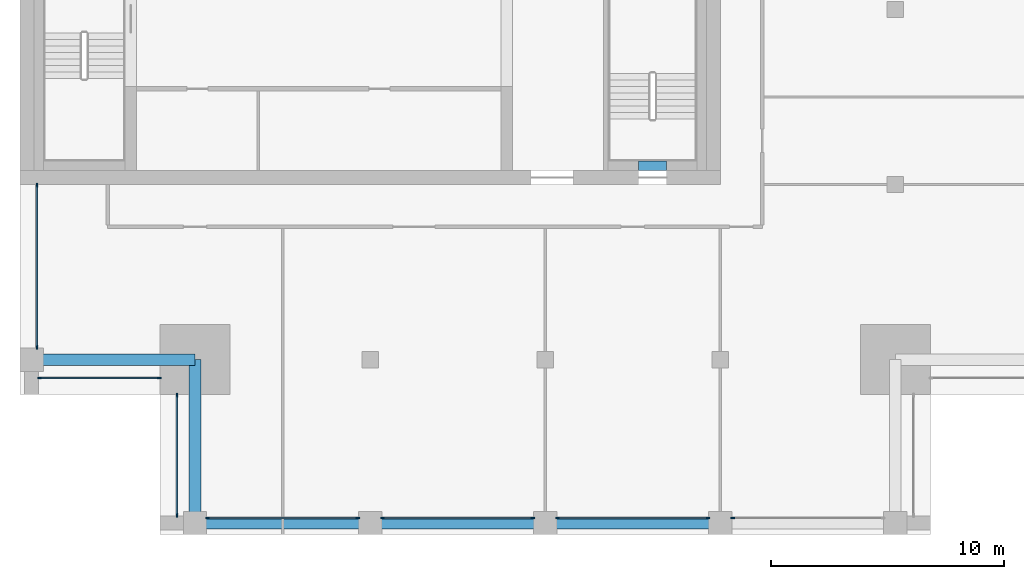
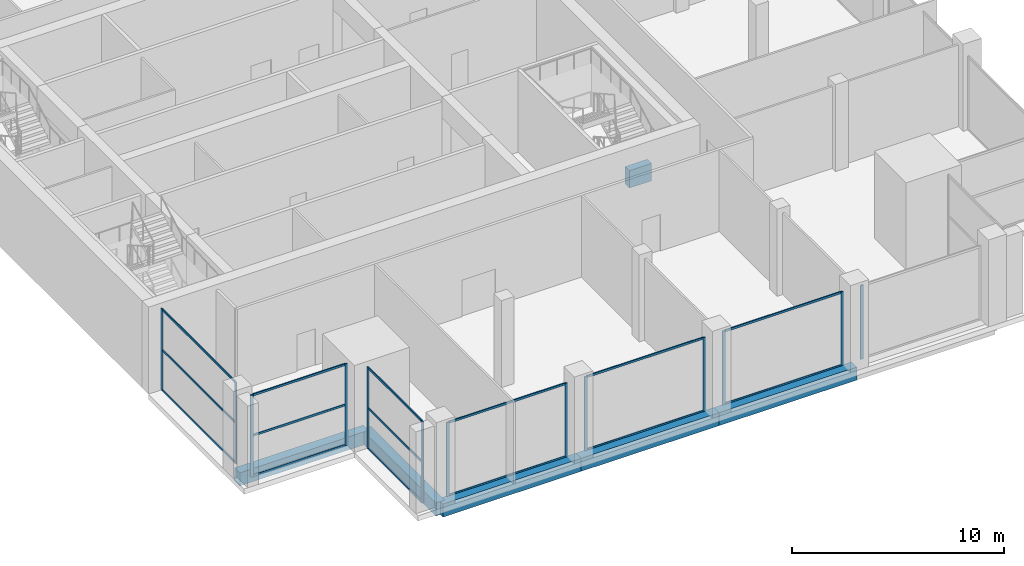
# One storey, part 2 of 15: 28 members, 6 beams, 7 elements without a shape of their own.
"""IFC4 building model written with IfcOpenShell, lengths in metres."""

from ifc_helpers import new_model, si_unit, direction, frame, origin, origin_2d, place, context, subcontext, project, spatial, rectangle, extrude, material, layer, layer_set, material_profile, profile_set, type_object, element, aggregate, save


model = new_model("IFC4")

# Units and contexts
model_context = context("Model", 3, precision=1e-05, world=origin(), true_north=direction((0.0, 1.0)))
body_context = subcontext(model_context, "Body", "Model", "MODEL_VIEW")
ifc_project = project(units=[si_unit("LENGTHUNIT", "METRE"), si_unit("AREAUNIT", "SQUARE_METRE"), si_unit("VOLUMEUNIT", "CUBIC_METRE"), si_unit("PLANEANGLEUNIT", "RADIAN"), si_unit("MASSUNIT", "GRAM", prefix="KILO")], contexts=[model_context])

# Site, building, storey
site_placement = place(None, origin())
site = spatial("IfcSite", under=ifc_project, at=site_placement, CompositionType="ELEMENT")
building_placement = place(site_placement, origin())
building = spatial("IfcBuilding", under=site, at=building_placement, Name="Tamorin Gate", CompositionType="ELEMENT")
storey_placement = place(building_placement, frame((0.0, 0.0, 297.699951171875)))
storey = spatial("IfcBuildingStorey", under=building, at=storey_placement, Name="L74", CompositionType="ELEMENT", Elevation=297.699951171875)

# Curtain wall, members
ifc_material_1 = material(Name="Aluminium mullions and transoms with clear glass", Category="aluminium")
ifc_layer = layer(ifc_material_1, 0.159912109375)
ifc_layer_set = layer_set([ifc_layer], Name="Curtain wall system CW2")
curtain_wall_type = type_object("IfcCurtainWallType", Name="Curtain wall system CW2", PredefinedType="NOTDEFINED", material=ifc_layer_set)
curtain_wall_1_placement = place(storey_placement, origin())
curtain_wall_1 = element("IfcCurtainWall", 1, at=curtain_wall_1_placement, inside=storey, type_object=curtain_wall_type, Name="Curtain wall", PredefinedType="NOTDEFINED")
ifc_material_2 = material(Name="Aluminium", Category="aluminium")
ifc_material_profile_1 = material_profile(ifc_material_2, rectangle(XDim=0.06005859375, YDim=0.159912109375, at=origin_2d()), Name="RECT 60x160")
ifc_profile_set_1 = profile_set([ifc_material_profile_1], Name="Aluminium")
member_type_1 = type_object("IfcMemberType", Name="Aluminium mullion 60x160", PredefinedType="MULLION", material=ifc_profile_set_1)
member_1_placement = place(storey_placement, frame((38.030029296875, 45.719970703125, 0.0), z_axis=(0.0, 0.0, 1.0), x_axis=(0.0, 1.0, 0.0)))
member_1 = element("IfcMember", 2, at=member_1_placement, type_object=member_type_1, Name="CW2 mullion 1", PredefinedType="MULLION", context=body_context, shape_type="SweptSolid", body=[
    extrude(rectangle(XDim=0.06005859375, YDim=0.159912109375, at=origin_2d()), origin(), (0.0, 0.0, 1.0), 4.25),
])
member_2_placement = place(storey_placement, frame((44.469970703125, 45.719970703125, 0.0), z_axis=(0.0, 0.0, 1.0), x_axis=(0.0, 1.0, 0.0)))
member_2 = element("IfcMember", 3, at=member_2_placement, type_object=member_type_1, Name="CW2 mullion 2", PredefinedType="MULLION", context=body_context, shape_type="SweptSolid", body=[
    extrude(rectangle(XDim=0.06005859375, YDim=0.159912109375, at=origin_2d()), origin(), (0.0, 0.0, 1.0), 4.25),
])

curtain_wall_2_placement = place(storey_placement, origin())
curtain_wall_2 = element("IfcCurtainWall", 4, at=curtain_wall_2_placement, inside=storey, type_object=curtain_wall_type, Name="Curtain wall", PredefinedType="NOTDEFINED")
member_3_placement = place(storey_placement, frame((45.530029296875, 45.719970703125, 0.0), z_axis=(0.0, 0.0, 1.0), x_axis=(0.0, 1.0, 0.0)))
member_3 = element("IfcMember", 5, at=member_3_placement, type_object=member_type_1, Name="CW2 mullion 1", PredefinedType="MULLION", context=body_context, shape_type="SweptSolid", body=[
    extrude(rectangle(XDim=0.06005859375, YDim=0.159912109375, at=origin_2d()), origin(), (0.0, 0.0, 1.0), 4.25),
])
member_4_placement = place(storey_placement, frame((51.969970703125, 45.719970703125, 0.0), z_axis=(0.0, 0.0, 1.0), x_axis=(0.0, 1.0, 0.0)))
member_4 = element("IfcMember", 6, at=member_4_placement, type_object=member_type_1, Name="CW2 mullion 2", PredefinedType="MULLION", context=body_context, shape_type="SweptSolid", body=[
    extrude(rectangle(XDim=0.06005859375, YDim=0.159912109375, at=origin_2d()), origin(), (0.0, 0.0, 1.0), 4.25),
])

curtain_wall_3_placement = place(storey_placement, origin())
curtain_wall_3 = element("IfcCurtainWall", 7, at=curtain_wall_3_placement, inside=storey, type_object=curtain_wall_type, Name="Curtain wall", PredefinedType="NOTDEFINED")
member_5_placement = place(storey_placement, frame((53.030029296875, 45.719970703125, 0.0), z_axis=(0.0, 0.0, 1.0), x_axis=(0.0, 1.0, 0.0)))
member_5 = element("IfcMember", 8, at=member_5_placement, type_object=member_type_1, Name="CW2 mullion 1", PredefinedType="MULLION", context=body_context, shape_type="SweptSolid", body=[
    extrude(rectangle(XDim=0.06005859375, YDim=0.159912109375, at=origin_2d()), origin(), (0.0, 0.0, 1.0), 4.25),
])
member_6_placement = place(storey_placement, frame((59.469970703125, 45.719970703125, 0.0), z_axis=(0.0, 0.0, 1.0), x_axis=(0.0, 1.0, 0.0)))
member_6 = element("IfcMember", 9, at=member_6_placement, type_object=member_type_1, Name="CW2 mullion 2", PredefinedType="MULLION", context=body_context, shape_type="SweptSolid", body=[
    extrude(rectangle(XDim=0.06005859375, YDim=0.159912109375, at=origin_2d()), origin(), (0.0, 0.0, 1.0), 4.25),
])

# Curtain wall, member
curtain_wall_4_placement = place(storey_placement, origin())
curtain_wall_4 = element("IfcCurtainWall", 10, at=curtain_wall_4_placement, inside=storey, type_object=curtain_wall_type, Name="Curtain wall", PredefinedType="NOTDEFINED")
member_7_placement = place(storey_placement, frame((60.530029296875, 45.719970703125, 0.0), z_axis=(0.0, 0.0, 1.0), x_axis=(0.0, 1.0, 0.0)))
member_7 = element("IfcMember", 11, at=member_7_placement, type_object=member_type_1, Name="CW2 mullion 1", PredefinedType="MULLION", context=body_context, shape_type="SweptSolid", body=[
    extrude(rectangle(XDim=0.06005859375, YDim=0.159912109375, at=origin_2d()), origin(), (0.0, 0.0, 1.0), 4.25),
])
aggregate(curtain_wall_4, [member_7])

# Curtain wall, members
curtain_wall_5_placement = place(storey_placement, origin())
curtain_wall_5 = element("IfcCurtainWall", 12, at=curtain_wall_5_placement, inside=storey, type_object=curtain_wall_type, Name="Curtain wall", PredefinedType="NOTDEFINED")
member_8_placement = place(storey_placement, frame((30.719970703125, 59.969970703125, 0.0), z_axis=(0.0, 0.0, 1.0), x_axis=(1.0, 0.0, 0.0)))
member_8 = element("IfcMember", 13, at=member_8_placement, type_object=member_type_1, Name="CW2 mullion 1", PredefinedType="MULLION", context=body_context, shape_type="SweptSolid", body=[
    extrude(rectangle(XDim=0.06005859375, YDim=0.159912109375, at=origin_2d()), origin(), (0.0, 0.0, 1.0), 4.699951171875),
])
member_9_placement = place(storey_placement, frame((30.719970703125, 53.030029296875, 0.0), z_axis=(0.0, 0.0, 1.0), x_axis=(1.0, 0.0, 0.0)))
member_9 = element("IfcMember", 14, at=member_9_placement, type_object=member_type_1, Name="CW2 mullion 2", PredefinedType="MULLION", context=body_context, shape_type="SweptSolid", body=[
    extrude(rectangle(XDim=0.06005859375, YDim=0.159912109375, at=origin_2d()), origin(), (0.0, 0.0, 1.0), 4.699951171875),
])

curtain_wall_6_placement = place(storey_placement, origin())
curtain_wall_6 = element("IfcCurtainWall", 15, at=curtain_wall_6_placement, inside=storey, type_object=curtain_wall_type, Name="Curtain wall", PredefinedType="NOTDEFINED")
member_10_placement = place(storey_placement, frame((30.830078125, 51.719970703125, 0.0), z_axis=(0.0, 0.0, 1.0), x_axis=(0.0, 1.0, 0.0)))
member_10 = element("IfcMember", 16, at=member_10_placement, type_object=member_type_1, Name="CW2 mullion 1", PredefinedType="MULLION", context=body_context, shape_type="SweptSolid", body=[
    extrude(rectangle(XDim=0.06005859375, YDim=0.159912109375, at=origin_2d()), origin(), (0.0, 0.0, 1.0), 4.699951171875),
])
member_11_placement = place(storey_placement, frame((35.969970703125, 51.719970703125, 0.0), z_axis=(0.0, 0.0, 1.0), x_axis=(0.0, 1.0, 0.0)))
member_11 = element("IfcMember", 17, at=member_11_placement, type_object=member_type_1, Name="CW2 mullion 2", PredefinedType="MULLION", context=body_context, shape_type="SweptSolid", body=[
    extrude(rectangle(XDim=0.06005859375, YDim=0.159912109375, at=origin_2d()), origin(), (0.0, 0.0, 1.0), 4.699951171875),
])

curtain_wall_7_placement = place(storey_placement, origin())
curtain_wall_7 = element("IfcCurtainWall", 18, at=curtain_wall_7_placement, inside=storey, type_object=curtain_wall_type, Name="Curtain wall", PredefinedType="NOTDEFINED")
member_12_placement = place(storey_placement, frame((36.719970703125, 50.969970703125, 0.0), z_axis=(0.0, 0.0, 1.0), x_axis=(1.0, 0.0, 0.0)))
member_12 = element("IfcMember", 19, at=member_12_placement, type_object=member_type_1, Name="CW2 mullion 1", PredefinedType="MULLION", context=body_context, shape_type="SweptSolid", body=[
    extrude(rectangle(XDim=0.06005859375, YDim=0.159912109375, at=origin_2d()), origin(), (0.0, 0.0, 1.0), 4.699951171875),
])
member_13_placement = place(storey_placement, frame((36.719970703125, 45.830078125, 0.0), z_axis=(0.0, 0.0, 1.0), x_axis=(1.0, 0.0, 0.0)))
member_13 = element("IfcMember", 20, at=member_13_placement, type_object=member_type_1, Name="CW2 mullion 2", PredefinedType="MULLION", context=body_context, shape_type="SweptSolid", body=[
    extrude(rectangle(XDim=0.06005859375, YDim=0.159912109375, at=origin_2d()), origin(), (0.0, 0.0, 1.0), 4.699951171875),
])

# Member
ifc_material_profile_2 = material_profile(ifc_material_2, rectangle(XDim=0.06005859375, YDim=0.1201171875, at=origin_2d()), Name="RECT 60x120")
ifc_profile_set_2 = profile_set([ifc_material_profile_2], Name="Aluminium")
member_type_2 = type_object("IfcMemberType", Name="Aluminium transom 60x120", PredefinedType="USERDEFINED", material=ifc_profile_set_2)
member_14_placement = place(storey_placement, frame((38.06005859375, 45.719970703125, 0.030029296875), z_axis=(1.0, 0.0, 0.0), x_axis=(0.0, 1.0, 0.0)))
member_14 = element("IfcMember", 21, at=member_14_placement, type_object=member_type_2, Name="CW2 transom 1.1", ObjectType="TRANSOM", PredefinedType="USERDEFINED", context=body_context, shape_type="SweptSolid", body=[
    extrude(rectangle(XDim=0.06005859375, YDim=0.1201171875, at=origin_2d()), origin(), (0.0, 0.0, 1.0), 6.3798828125),
])

member_15_placement = place(storey_placement, frame((38.06005859375, 45.719970703125, 4.219970703125), z_axis=(1.0, 0.0, 0.0), x_axis=(0.0, 1.0, 0.0)))
member_15 = element("IfcMember", 22, at=member_15_placement, type_object=member_type_2, Name="CW2 transom 1.2", ObjectType="TRANSOM", PredefinedType="USERDEFINED", context=body_context, shape_type="SweptSolid", body=[
    extrude(rectangle(XDim=0.06005859375, YDim=0.1201171875, at=origin_2d()), origin(), (0.0, 0.0, 1.0), 6.3798828125),
])

aggregate(curtain_wall_1, [member_1, member_2, member_14, member_15])

member_16_placement = place(storey_placement, frame((45.56005859375, 45.719970703125, 0.030029296875), z_axis=(1.0, 0.0, 0.0), x_axis=(0.0, 1.0, 0.0)))
member_16 = element("IfcMember", 23, at=member_16_placement, type_object=member_type_2, Name="CW2 transom 1.1", ObjectType="TRANSOM", PredefinedType="USERDEFINED", context=body_context, shape_type="SweptSolid", body=[
    extrude(rectangle(XDim=0.06005859375, YDim=0.1201171875, at=origin_2d()), origin(), (0.0, 0.0, 1.0), 6.3798828125),
])

member_17_placement = place(storey_placement, frame((45.56005859375, 45.719970703125, 4.219970703125), z_axis=(1.0, 0.0, 0.0), x_axis=(0.0, 1.0, 0.0)))
member_17 = element("IfcMember", 24, at=member_17_placement, type_object=member_type_2, Name="CW2 transom 1.2", ObjectType="TRANSOM", PredefinedType="USERDEFINED", context=body_context, shape_type="SweptSolid", body=[
    extrude(rectangle(XDim=0.06005859375, YDim=0.1201171875, at=origin_2d()), origin(), (0.0, 0.0, 1.0), 6.3798828125),
])

aggregate(curtain_wall_2, [member_3, member_4, member_16, member_17])

member_18_placement = place(storey_placement, frame((53.06005859375, 45.719970703125, 0.030029296875), z_axis=(1.0, 0.0, 0.0), x_axis=(0.0, 1.0, 0.0)))
member_18 = element("IfcMember", 25, at=member_18_placement, type_object=member_type_2, Name="CW2 transom 1.1", ObjectType="TRANSOM", PredefinedType="USERDEFINED", context=body_context, shape_type="SweptSolid", body=[
    extrude(rectangle(XDim=0.06005859375, YDim=0.1201171875, at=origin_2d()), origin(), (0.0, 0.0, 1.0), 6.3798828125),
])

member_19_placement = place(storey_placement, frame((53.06005859375, 45.719970703125, 4.219970703125), z_axis=(1.0, 0.0, 0.0), x_axis=(0.0, 1.0, 0.0)))
member_19 = element("IfcMember", 26, at=member_19_placement, type_object=member_type_2, Name="CW2 transom 1.2", ObjectType="TRANSOM", PredefinedType="USERDEFINED", context=body_context, shape_type="SweptSolid", body=[
    extrude(rectangle(XDim=0.06005859375, YDim=0.1201171875, at=origin_2d()), origin(), (0.0, 0.0, 1.0), 6.3798828125),
])

aggregate(curtain_wall_3, [member_5, member_6, member_18, member_19])

member_20_placement = place(storey_placement, frame((30.719970703125, 59.93994140625, 0.030029296875), z_axis=(0.0, -1.0, 0.0), x_axis=(1.0, 0.0, 0.0)))
member_20 = element("IfcMember", 27, at=member_20_placement, type_object=member_type_2, Name="CW2 transom 1.1", ObjectType="TRANSOM", PredefinedType="USERDEFINED", context=body_context, shape_type="SweptSolid", body=[
    extrude(rectangle(XDim=0.06005859375, YDim=0.1201171875, at=origin_2d()), origin(), (0.0, 0.0, 1.0), 6.8798828125),
])

member_21_placement = place(storey_placement, frame((30.719970703125, 59.93994140625, 2.35009765625), z_axis=(0.0, -1.0, 0.0), x_axis=(1.0, 0.0, 0.0)))
member_21 = element("IfcMember", 28, at=member_21_placement, type_object=member_type_2, Name="CW2 transom 1.2", ObjectType="TRANSOM", PredefinedType="USERDEFINED", context=body_context, shape_type="SweptSolid", body=[
    extrude(rectangle(XDim=0.06005859375, YDim=0.1201171875, at=origin_2d()), origin(), (0.0, 0.0, 1.0), 6.8798828125),
])

member_22_placement = place(storey_placement, frame((30.719970703125, 59.93994140625, 4.670166015625), z_axis=(0.0, -1.0, 0.0), x_axis=(1.0, 0.0, 0.0)))
member_22 = element("IfcMember", 29, at=member_22_placement, type_object=member_type_2, Name="CW2 transom 1.3", ObjectType="TRANSOM", PredefinedType="USERDEFINED", context=body_context, shape_type="SweptSolid", body=[
    extrude(rectangle(XDim=0.06005859375, YDim=0.1201171875, at=origin_2d()), origin(), (0.0, 0.0, 1.0), 6.8798828125),
])

aggregate(curtain_wall_5, [member_8, member_9, member_20, member_21, member_22])

member_23_placement = place(storey_placement, frame((30.860107421875, 51.719970703125, 0.030029296875), z_axis=(1.0, 0.0, 0.0), x_axis=(0.0, 1.0, 0.0)))
member_23 = element("IfcMember", 30, at=member_23_placement, type_object=member_type_2, Name="CW2 transom 1.1", ObjectType="TRANSOM", PredefinedType="USERDEFINED", context=body_context, shape_type="SweptSolid", body=[
    extrude(rectangle(XDim=0.06005859375, YDim=0.1201171875, at=origin_2d()), origin(), (0.0, 0.0, 1.0), 5.079833984375),
])

member_24_placement = place(storey_placement, frame((30.860107421875, 51.719970703125, 2.35009765625), z_axis=(1.0, 0.0, 0.0), x_axis=(0.0, 1.0, 0.0)))
member_24 = element("IfcMember", 31, at=member_24_placement, type_object=member_type_2, Name="CW2 transom 1.2", ObjectType="TRANSOM", PredefinedType="USERDEFINED", context=body_context, shape_type="SweptSolid", body=[
    extrude(rectangle(XDim=0.06005859375, YDim=0.1201171875, at=origin_2d()), origin(), (0.0, 0.0, 1.0), 5.079833984375),
])

member_25_placement = place(storey_placement, frame((30.860107421875, 51.719970703125, 4.670166015625), z_axis=(1.0, 0.0, 0.0), x_axis=(0.0, 1.0, 0.0)))
member_25 = element("IfcMember", 32, at=member_25_placement, type_object=member_type_2, Name="CW2 transom 1.3", ObjectType="TRANSOM", PredefinedType="USERDEFINED", context=body_context, shape_type="SweptSolid", body=[
    extrude(rectangle(XDim=0.06005859375, YDim=0.1201171875, at=origin_2d()), origin(), (0.0, 0.0, 1.0), 5.079833984375),
])

aggregate(curtain_wall_6, [member_10, member_11, member_23, member_24, member_25])

member_26_placement = place(storey_placement, frame((36.719970703125, 50.93994140625, 0.030029296875), z_axis=(0.0, -1.0, 0.0), x_axis=(1.0, 0.0, 0.0)))
member_26 = element("IfcMember", 33, at=member_26_placement, type_object=member_type_2, Name="CW2 transom 1.1", ObjectType="TRANSOM", PredefinedType="USERDEFINED", context=body_context, shape_type="SweptSolid", body=[
    extrude(rectangle(XDim=0.06005859375, YDim=0.1201171875, at=origin_2d()), origin(), (0.0, 0.0, 1.0), 5.079833984375),
])

member_27_placement = place(storey_placement, frame((36.719970703125, 50.93994140625, 2.35009765625), z_axis=(0.0, -1.0, 0.0), x_axis=(1.0, 0.0, 0.0)))
member_27 = element("IfcMember", 34, at=member_27_placement, type_object=member_type_2, Name="CW2 transom 1.2", ObjectType="TRANSOM", PredefinedType="USERDEFINED", context=body_context, shape_type="SweptSolid", body=[
    extrude(rectangle(XDim=0.06005859375, YDim=0.1201171875, at=origin_2d()), origin(), (0.0, 0.0, 1.0), 5.079833984375),
])

member_28_placement = place(storey_placement, frame((36.719970703125, 50.93994140625, 4.670166015625), z_axis=(0.0, -1.0, 0.0), x_axis=(1.0, 0.0, 0.0)))
member_28 = element("IfcMember", 35, at=member_28_placement, type_object=member_type_2, Name="CW2 transom 1.3", ObjectType="TRANSOM", PredefinedType="USERDEFINED", context=body_context, shape_type="SweptSolid", body=[
    extrude(rectangle(XDim=0.06005859375, YDim=0.1201171875, at=origin_2d()), origin(), (0.0, 0.0, 1.0), 5.079833984375),
])

aggregate(curtain_wall_7, [member_12, member_13, member_26, member_27, member_28])

# Beams
ifc_material_3 = material(Name="Concrete C50/60", Category="concrete")
ifc_material_profile_3 = material_profile(ifc_material_3, rectangle(XDim=0.5, YDim=0.75, at=origin_2d()), Name="RC 500x750")
ifc_profile_set_3 = profile_set([ifc_material_profile_3], Name="Concrete C50/60")
beam_type_1 = type_object("IfcBeamType", Name="RC spandrel 500x750 C50/60", PredefinedType="BEAM", material=ifc_profile_set_3)
for number, where, z_axis, x_axis, name in (
    (36, (37.5, 45.5, -0.375), (1.0, 0.0, 0.0), (0.0, 1.0, 0.0), "Spandrel beam L74"),
    (37, (45.0, 45.5, -0.375), (1.0, 0.0, 0.0), (0.0, 1.0, 0.0), "Spandrel beam L74"),
    (38, (52.5, 45.5, -0.375), (1.0, 0.0, 0.0), (0.0, 1.0, 0.0), "Spandrel beam L74"),
):
    element("IfcBeam", number, at=place(storey_placement, frame(where, z_axis=z_axis, x_axis=x_axis)), inside=storey, type_object=beam_type_1, Name=name, PredefinedType="BEAM", context=body_context, shape_type="SweptSolid", body=[
        extrude(rectangle(XDim=0.5, YDim=0.75, at=origin_2d()), origin(), (0.0, 0.0, 1.0), 7.5),
    ])
for number, where, z_axis, x_axis, name in (
    (39, (37.5, 52.5, -0.375), (-1.0, 0.0, 0.0), (0.0, -1.0, 0.0), "Corner tie beam L74"),
    (40, (37.5, 52.5, -0.375), (0.0, -1.0, 0.0), (1.0, 0.0, 0.0), "Corner tie beam L74"),
):
    element("IfcBeam", number, at=place(storey_placement, frame(where, z_axis=z_axis, x_axis=x_axis)), inside=storey, type_object=beam_type_1, Name=name, PredefinedType="BEAM", context=body_context, shape_type="SweptSolid", body=[
        extrude(rectangle(XDim=0.5, YDim=0.75, at=origin_2d()), origin(), (0.0, 0.0, 1.0), 7.0),
    ])
ifc_material_profile_4 = material_profile(ifc_material_3, rectangle(XDim=0.39990234375, YDim=1.0, at=origin_2d()))
ifc_profile_set_4 = profile_set([ifc_material_profile_4], Name="Concrete C50/60")
beam_type_2 = type_object("IfcBeamType", Name="Stair lintel 400x1000 C50/60", PredefinedType="BEAM", material=ifc_profile_set_4)
beam_placement = place(storey_placement, frame((56.5, 60.800048828125, 2.699951171875), z_axis=(1.0, 0.0, 0.0), x_axis=(0.0, 1.0, 0.0)))
element("IfcBeam", 41, at=beam_placement, inside=storey, type_object=beam_type_2, Name="Stair lintel", PredefinedType="BEAM", context=body_context, shape_type="SweptSolid", body=[
    extrude(rectangle(XDim=0.39990234375, YDim=1.0, at=origin_2d()), origin(), (0.0, 0.0, 1.0), 1.199951171875),
])

save(model, "model.ifc")
